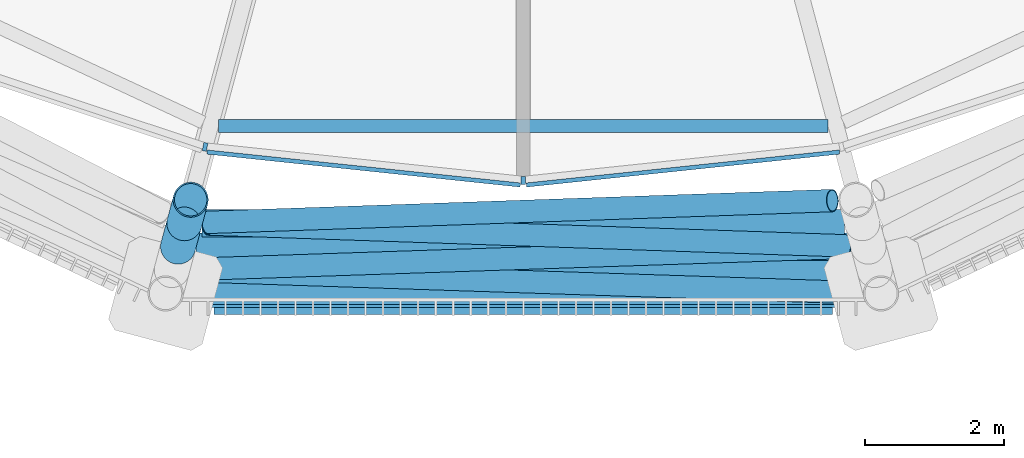
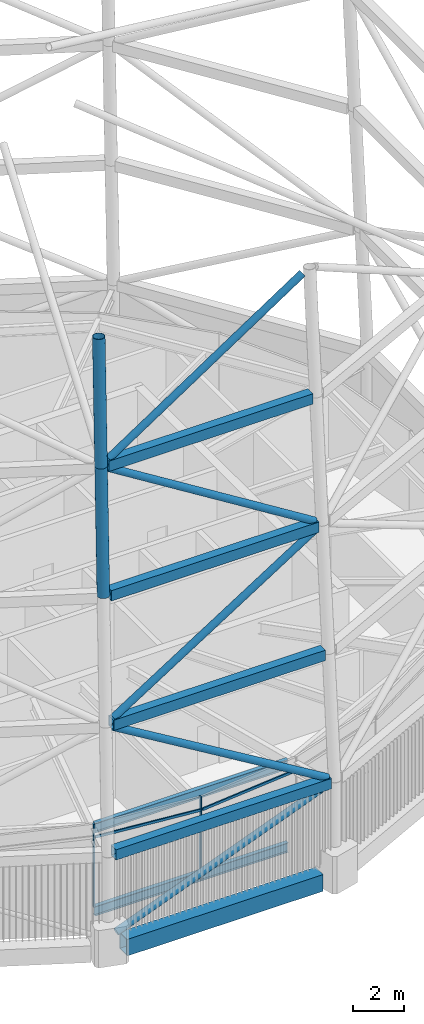
# One storey, part 8 of 71: 11 members, 7 beams, 1 element without a shape of its own.
"""IFC4 building model written with IfcOpenShell, lengths in metres."""

from ifc_helpers import new_model, si_unit, direction, frame, origin, origin_2d, place, context, subcontext, project, spatial, rectangle, hollow_rectangle, hollow_circle, i_section, extrude, material, material_profile, profile_set, type_object, element, aggregate, save


model = new_model("IFC4")

# Units and contexts
model_context = context("Model", 3, precision=1e-05, world=origin(), true_north=direction((0.0, 1.0)))
body_context = subcontext(model_context, "Body", "Model", "MODEL_VIEW")
ifc_project = project(units=[si_unit("LENGTHUNIT", "METRE"), si_unit("AREAUNIT", "SQUARE_METRE"), si_unit("VOLUMEUNIT", "CUBIC_METRE"), si_unit("PLANEANGLEUNIT", "RADIAN"), si_unit("MASSUNIT", "GRAM", prefix="KILO")], contexts=[model_context])

# Site, building, storey
site_placement = place(None, origin())
site = spatial("IfcSite", under=ifc_project, at=site_placement, CompositionType="ELEMENT")
building_placement = place(site_placement, origin())
building = spatial("IfcBuilding", under=site, at=building_placement, Name="Rimbun Link Towers", CompositionType="ELEMENT")
storey_placement = place(building_placement, frame((0.0, 0.0, 267.60009765625)))
storey = spatial("IfcBuildingStorey", under=building, at=storey_placement, Name="L65", CompositionType="ELEMENT", Elevation=267.60009765625)

# Curtain wall, members
ifc_material_1 = material(Name="Aluminium 6063-T6 louvre wall", Category="aluminium")
curtain_wall_type = type_object("IfcCurtainWallType", Name="CW6 plant floor louvre wall", PredefinedType="NOTDEFINED", material=ifc_material_1)
curtain_wall_placement = place(storey_placement, origin())
curtain_wall = element("IfcCurtainWall", 1, at=curtain_wall_placement, inside=storey, type_object=curtain_wall_type, Name="CW6 L65 T1", PredefinedType="NOTDEFINED")
ifc_material_2 = material(Name="Aluminium 6063-T6", Category="aluminium")
ifc_material_profile_1 = material_profile(ifc_material_2, rectangle(XDim=0.1201171875, YDim=0.06005859375, at=origin_2d()), Name="MULLION 60X120")
ifc_profile_set_1 = profile_set([ifc_material_profile_1], Name="Aluminium 6063-T6")
member_type_1 = type_object("IfcMemberType", Name="CW6 mullion 60X120", PredefinedType="MULLION", material=ifc_profile_set_1)
member_1_placement = place(storey_placement, frame((-36.3427734375, -17.151611328125, 0.0), z_axis=(0.0, 0.0, 1.0), x_axis=(-0.210863236685, -0.977515572978, 0.0)))
member_1 = element("IfcMember", 2, at=member_1_placement, type_object=member_type_1, Name="CW6 mullion", PredefinedType="MULLION", context=body_context, shape_type="SweptSolid", body=[
    extrude(rectangle(XDim=0.1201171875, YDim=0.06005859375, at=origin_2d()), origin(), (0.0, 0.0, 1.0), 4.0),
])
member_2_placement = place(storey_placement, frame((-31.75, -17.63525390625, 0.0), z_axis=(0.0, 0.0, 1.0), x_axis=(0.0, -1.0, 0.0)))
member_2 = element("IfcMember", 3, at=member_2_placement, type_object=member_type_1, Name="CW6 mullion", PredefinedType="MULLION", context=body_context, shape_type="SweptSolid", body=[
    extrude(rectangle(XDim=0.1201171875, YDim=0.06005859375, at=origin_2d()), origin(), (0.0, 0.0, 1.0), 4.0),
])
ifc_material_3 = material(Name="Aluminium 6063-T6", Category="aluminium")
ifc_material_profile_2 = material_profile(ifc_material_3, rectangle(XDim=0.06005859375, YDim=0.1201171875, at=origin_2d()), Name="TRANSOM 60X120")
ifc_profile_set_2 = profile_set([ifc_material_profile_2], Name="Aluminium 6063-T6")
member_type_2 = type_object("IfcMemberType", Name="CW6 transom 60X120", PredefinedType="USERDEFINED", material=ifc_profile_set_2)
member_3_placement = place(storey_placement, frame((-31.79345703125, -17.701416015625, 3.39990234375), z_axis=(-0.994500154193, 0.104735110211, 0.0), x_axis=(-0.104735110211, -0.994500154193, 0.0)))
member_3 = element("IfcMember", 4, at=member_3_placement, type_object=member_type_2, Name="CW6 transom", ObjectType="TRANSOM", PredefinedType="USERDEFINED", context=body_context, shape_type="SweptSolid", body=[
    extrude(rectangle(XDim=0.06005859375, YDim=0.1201171875, at=origin_2d()), origin(), (0.0, 0.0, 1.0), 4.54541015625),
])
member_4_placement = place(storey_placement, frame((-27.18603515625, -17.225341796875, 3.39990234375), z_axis=(-0.994500154193, -0.104735110211, 0.0), x_axis=(0.104735110211, -0.994500154193, 0.0)))
member_4 = element("IfcMember", 5, at=member_4_placement, type_object=member_type_2, Name="CW6 transom", ObjectType="TRANSOM", PredefinedType="USERDEFINED", context=body_context, shape_type="SweptSolid", body=[
    extrude(rectangle(XDim=0.06005859375, YDim=0.1201171875, at=origin_2d()), origin(), (0.0, 0.0, 1.0), 4.54541015625),
])
aggregate(curtain_wall, [member_1, member_2, member_3, member_4])

# Members
ifc_material_4 = material(Name="Steel S355J2H", Category="steel")
ifc_material_profile_3 = material_profile(ifc_material_4, hollow_circle(Radius=0.161865234375, WallThickness=0.011962890625, at=origin_2d()), Name="Crown frame brace CHS 324x12")
ifc_profile_set_3 = profile_set([ifc_material_profile_3], Name="Steel S355J2H")
member_type_3 = type_object("IfcMemberType", Name="Crown frame brace CHS 324x12", PredefinedType="BRACE", material=ifc_profile_set_3)
member_5_placement = place(storey_placement, frame((-36.539306640625, -19.266357421875, 0.144287109375), z_axis=(0.932458879812, 0.0, 0.361276123567), x_axis=(0.0, 1.0, 0.0)))
element("IfcMember", 6, at=member_5_placement, inside=storey, type_object=member_type_3, Name="CROWN FRAME brace T1 1-08", PredefinedType="BRACE", context=body_context, shape_type="SweptSolid", body=[
    extrude(hollow_circle(Radius=0.161865234375, WallThickness=0.011962890625, at=origin_2d()), origin(), (0.0, 0.0, 1.0), 10.2724609375),
])
member_6_placement = place(storey_placement, frame((-26.9326171875, -19.2548828125, 4.2021484375), z_axis=(-0.862324864458, 0.028477256798, 0.50555402677), x_axis=(-0.033005822291, -0.999455159422, 0.0)))
element("IfcMember", 7, at=member_6_placement, inside=storey, type_object=member_type_3, Name="CROWN FRAME brace T1 2-08", PredefinedType="BRACE", context=body_context, shape_type="SweptSolid", body=[
    extrude(hollow_circle(Radius=0.161865234375, WallThickness=0.011962890625, at=origin_2d()), origin(), (0.0, 0.0, 1.0), 11.06787109375),
])
member_7_placement = place(storey_placement, frame((-36.478515625, -18.916748046875, 10.204833984375), z_axis=(0.85833756227, 0.028861083157, 0.512273039575), x_axis=(-0.033605405466, 0.99943517885, 0.0)))
element("IfcMember", 8, at=member_7_placement, inside=storey, type_object=member_type_3, Name="CROWN FRAME brace T1 3-08", PredefinedType="BRACE", context=body_context, shape_type="SweptSolid", body=[
    extrude(hollow_circle(Radius=0.161865234375, WallThickness=0.011962890625, at=origin_2d()), origin(), (0.0, 0.0, 1.0), 10.912353515625),
])
member_8_placement = place(storey_placement, frame((-27.110595703125, -18.57861328125, 16.20751953125), z_axis=(-0.854168033856, 0.02925528353, 0.519173476138), x_axis=(-0.034229962117, -0.999413983139, 0.0)))
element("IfcMember", 9, at=member_8_placement, inside=storey, type_object=member_type_3, Name="CROWN FRAME brace T1 4-08", PredefinedType="BRACE", context=body_context, shape_type="SweptSolid", body=[
    extrude(hollow_circle(Radius=0.161865234375, WallThickness=0.011962890625, at=origin_2d()), origin(), (0.0, 0.0, 1.0), 10.7568359375),
])
member_9_placement = place(storey_placement, frame((-36.30078125, -18.240234375, 22.21044921875), z_axis=(0.849864633989, 0.029657418206, 0.526165887758), x_axis=(-0.034875408931, 0.999391667892, 0.0)))
element("IfcMember", 10, at=member_9_placement, inside=storey, type_object=member_type_3, Name="CROWN FRAME brace T1 5-08", PredefinedType="BRACE", context=body_context, shape_type="SweptSolid", body=[
    extrude(hollow_circle(Radius=0.161865234375, WallThickness=0.011962890625, at=origin_2d()), origin(), (0.0, 0.0, 1.0), 10.602783203125),
])
ifc_material_5 = material(Name="Steel S355J2H", Category="steel")
ifc_material_profile_4 = material_profile(ifc_material_5, hollow_circle(Radius=0.25390625, WallThickness=0.02001953125, at=origin_2d()), Name="Crown frame post CHS 508x20")
ifc_profile_set_4 = profile_set([ifc_material_profile_4], Name="Steel S355J2H")
member_type_4 = type_object("IfcMemberType", Name="Crown frame post CHS 508x20", PredefinedType="POST", material=ifc_profile_set_4)
for number, where, z_axis, x_axis, name in (
    (11, (-36.731201171875, -18.590087890625, 16.0), (0.015070436053, 0.056219632067, 0.998304680409), (-0.96589819818, 0.258922132605, 0.0), "CROWN FRAME post T1 4-08"),
    (12, (-36.640625, -18.252197265625, 22.0), (0.015070401624, 0.056260124661, 0.998302399761), (-0.965944938819, 0.258747705633, 0.0), "CROWN FRAME post T1 5-08"),
):
    element("IfcMember", number, at=place(storey_placement, frame(where, z_axis=z_axis, x_axis=x_axis)), inside=storey, type_object=member_type_4, Name=name, PredefinedType="POST", context=body_context, shape_type="SweptSolid", body=[
        extrude(hollow_circle(Radius=0.25390625, WallThickness=0.02001953125, at=origin_2d()), origin(), (0.0, 0.0, 1.0), 6.01025390625),
    ])

# Beams
ifc_material_6 = material(Name="Steel S355J2", Category="steel")
ifc_material_profile_5 = material_profile(ifc_material_6, hollow_rectangle(XDim=0.39990234375, YDim=0.5, WallThickness=0.02001953125, at=origin_2d()), Name="Crown frame ring beam BOX 400x500x20")
ifc_profile_set_5 = profile_set([ifc_material_profile_5], Name="Steel S355J2")
beam_type_1 = type_object("IfcBeamType", Name="Crown frame ring beam BOX 400x500x20", PredefinedType="BEAM", material=ifc_profile_set_5)
beam_1_placement = place(storey_placement, frame((-36.658447265625, -19.266357421875, 4.0), z_axis=(1.0, 0.0, 0.0), x_axis=(0.0, 1.0, 0.0)))
element("IfcBeam", 13, at=beam_1_placement, inside=storey, type_object=beam_type_1, Name="CROWN FRAME ring beam T1 1-08", PredefinedType="BEAM", context=body_context, shape_type="SweptSolid", body=[
    extrude(hollow_rectangle(XDim=0.39990234375, YDim=0.5, WallThickness=0.02001953125, at=origin_2d()), origin(), (0.0, 0.0, 1.0), 9.81689453125),
])
beam_2_placement = place(storey_placement, frame((-36.56787109375, -18.92822265625, 10.0), z_axis=(1.0, 0.0, 0.0), x_axis=(0.0, 1.0, 0.0)))
element("IfcBeam", 14, at=beam_2_placement, inside=storey, type_object=beam_type_1, Name="CROWN FRAME ring beam T1 2-08", PredefinedType="BEAM", context=body_context, shape_type="SweptSolid", body=[
    extrude(hollow_rectangle(XDim=0.39990234375, YDim=0.5, WallThickness=0.02001953125, at=origin_2d()), origin(), (0.0, 0.0, 1.0), 9.6357421875),
])
beam_3_placement = place(storey_placement, frame((-36.477294921875, -18.590087890625, 16.0), z_axis=(1.0, 0.0, 0.0), x_axis=(0.0, 1.0, 0.0)))
element("IfcBeam", 15, at=beam_3_placement, inside=storey, type_object=beam_type_1, Name="CROWN FRAME ring beam T1 3-08", PredefinedType="BEAM", context=body_context, shape_type="SweptSolid", body=[
    extrude(hollow_rectangle(XDim=0.39990234375, YDim=0.5, WallThickness=0.02001953125, at=origin_2d()), origin(), (0.0, 0.0, 1.0), 9.45458984375),
])
beam_4_placement = place(storey_placement, frame((-36.38671875, -18.252197265625, 22.0), z_axis=(1.0, 0.0, 0.0), x_axis=(0.0, 1.0, 0.0)))
element("IfcBeam", 16, at=beam_4_placement, inside=storey, type_object=beam_type_1, Name="CROWN FRAME ring beam T1 4-08", PredefinedType="BEAM", context=body_context, shape_type="SweptSolid", body=[
    extrude(hollow_rectangle(XDim=0.39990234375, YDim=0.5, WallThickness=0.02001953125, at=origin_2d()), origin(), (0.0, 0.0, 1.0), 9.2734375),
])
ifc_material_7 = material(Name="Steel S355J2", Category="steel")
ifc_material_profile_6 = material_profile(ifc_material_7, hollow_rectangle(XDim=0.60009765625, YDim=0.800048828125, WallThickness=0.0400390625, at=origin_2d()), Name="Exoskeleton ring girder BOX 600x800x40")
ifc_profile_set_6 = profile_set([ifc_material_profile_6], Name="Steel S355J2")
beam_type_2 = type_object("IfcBeamType", Name="Exoskeleton ring girder BOX 600x800x40", PredefinedType="BEAM", material=ifc_profile_set_6)
beam_5_placement = place(storey_placement, frame((-36.21240234375, -19.266357421875, -0.56005859375), z_axis=(1.0, 0.0, 0.0), x_axis=(0.0, 1.0, 0.0)))
element("IfcBeam", 17, at=beam_5_placement, inside=storey, type_object=beam_type_2, Name="Exoskeleton ring girder L65 08", PredefinedType="BEAM", context=body_context, shape_type="SweptSolid", body=[
    extrude(hollow_rectangle(XDim=0.60009765625, YDim=0.800048828125, WallThickness=0.0400390625, at=origin_2d()), origin(), (0.0, 0.0, 1.0), 8.9248046875),
])
ifc_material_8 = material(Name="Steel S355J2", Category="steel")
ifc_material_profile_7 = material_profile(ifc_material_8, i_section(OverallWidth=0.18994140625, OverallDepth=0.453369140625, WebThickness=0.008544921875, FlangeThickness=0.0126953125, at=origin_2d()), Name="UB 457x191x67")
ifc_profile_set_7 = profile_set([ifc_material_profile_7], Name="Steel S355J2")
beam_type_3 = type_object("IfcBeamType", Name="UB 457x191x67", PredefinedType="BEAM", material=ifc_profile_set_7)
for number, where, z_axis, x_axis, name in (
    (18, (-36.145751953125, -16.848388671875, -0.4267578125), (1.0, 0.0, 0.0), (0.0, 1.0, 0.0), "Edge beam T1 L65 17-19"),
    (19, (-36.145751953125, -16.848388671875, 3.5732421875), (1.0, 0.0, 0.0), (0.0, 1.0, 0.0), "Edge beam T1 L65 17-19"),
):
    element("IfcBeam", number, at=place(storey_placement, frame(where, z_axis=z_axis, x_axis=x_axis)), inside=storey, type_object=beam_type_3, Name=name, PredefinedType="BEAM", context=body_context, shape_type="SweptSolid", body=[
        extrude(i_section(OverallWidth=0.18994140625, OverallDepth=0.453369140625, WebThickness=0.008544921875, FlangeThickness=0.0126953125, at=origin_2d()), origin(), (0.0, 0.0, 1.0), 8.79150390625),
    ])

save(model, "model.ifc")
